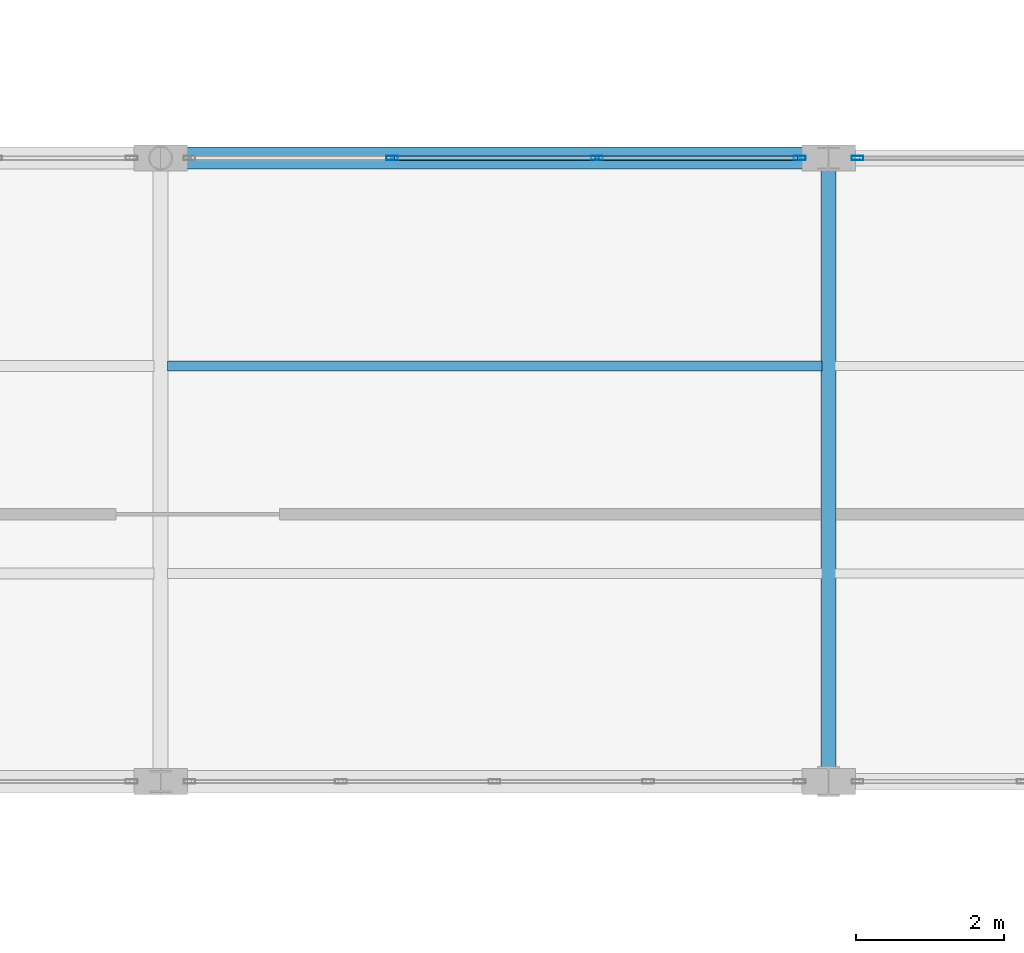
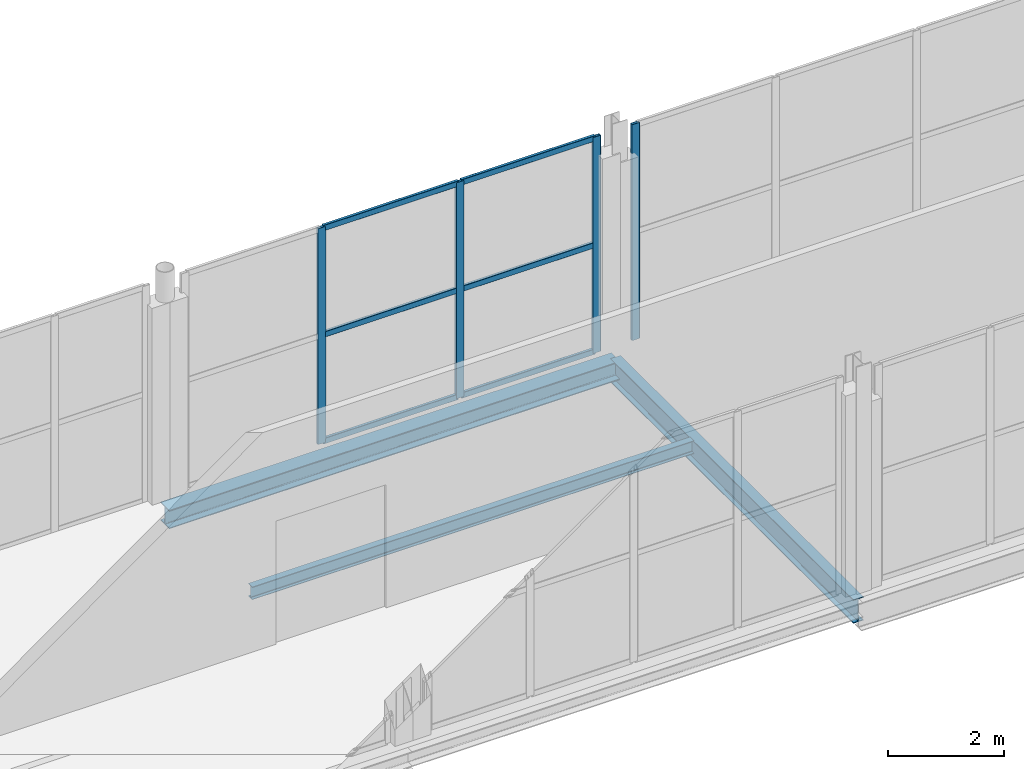
# One storey, part 65 of 120: 10 members, 3 beams, 2 elements without a shape of their own.
"""IFC4 building model written with IfcOpenShell, lengths in metres."""

from ifc_helpers import new_model, si_unit, direction, frame, origin, origin_2d, place, context, subcontext, project, spatial, hollow_rectangle, i_section, extrude, material, layer, layer_set, material_profile, profile_set, type_object, element, aggregate, save


model = new_model("IFC4")

# Units and contexts
model_context = context("Model", 3, precision=1e-05, world=origin(), true_north=direction((0.0, 1.0)))
body_context = subcontext(model_context, "Body", "Model", "MODEL_VIEW")
ifc_project = project(units=[si_unit("LENGTHUNIT", "METRE"), si_unit("AREAUNIT", "SQUARE_METRE"), si_unit("VOLUMEUNIT", "CUBIC_METRE"), si_unit("PLANEANGLEUNIT", "RADIAN"), si_unit("MASSUNIT", "GRAM", prefix="KILO")], contexts=[model_context])

# Site, building, storey
site_placement = place(None, origin())
site = spatial("IfcSite", under=ifc_project, at=site_placement, CompositionType="ELEMENT")
building_placement = place(site_placement, origin())
building = spatial("IfcBuilding", under=site, at=building_placement, Name="Vekula Escarpment Museum", CompositionType="ELEMENT")
storey_placement = place(building_placement, frame((0.0, 0.0, 13.199951171875)))
storey = spatial("IfcBuildingStorey", under=building, at=storey_placement, Name="L03", CompositionType="ELEMENT", Elevation=13.199951171875)

# Beams
ifc_material_1 = material(Name="Steel S355", Category="steel")
ifc_material_profile_1 = material_profile(ifc_material_1, i_section(OverallWidth=0.199951171875, OverallDepth=0.5, WebThickness=0.01025390625, FlangeThickness=0.01611328125, FilletRadius=0.02099609375, at=origin_2d()), Name="IPE 500")
ifc_profile_set_1 = profile_set([ifc_material_profile_1], Name="Steel S355")
beam_type_1 = type_object("IfcBeamType", Name="BM-GIRD-IPE500", PredefinedType="BEAM", material=ifc_profile_set_1)
beam_1_placement = place(storey_placement, frame((155.0, 68.0, -0.5), z_axis=(0.0, 1.0, 0.0), x_axis=(-1.0, 0.0, 0.0)))
element("IfcBeam", 1, at=beam_1_placement, inside=storey, type_object=beam_type_1, Name="Beam Y L03 1639", PredefinedType="BEAM", context=body_context, shape_type="SweptSolid", body=[
    extrude(i_section(OverallWidth=0.199951171875, OverallDepth=0.5, WebThickness=0.01025390625, FlangeThickness=0.01611328125, FilletRadius=0.02099609375, at=origin_2d()), origin(), (0.0, 0.0, 1.0), 8.39990234375),
])
ifc_material_2 = material(Name="Steel S355", Category="steel")
ifc_material_profile_2 = material_profile(ifc_material_2, i_section(OverallWidth=0.135009765625, OverallDepth=0.27001953125, WebThickness=0.006591796875, FlangeThickness=0.01025390625, FilletRadius=0.014892578125, at=origin_2d()), Name="IPE 270")
ifc_profile_set_2 = profile_set([ifc_material_profile_2], Name="Steel S355")
beam_type_2 = type_object("IfcBeamType", Name="BM-JST-IPE270", PredefinedType="JOIST", material=ifc_profile_set_2)
beam_2_placement = place(storey_placement, frame((146.090087890625, 73.60009765625, -0.385009765625), z_axis=(1.0, 0.0, 0.0), x_axis=(0.0, 1.0, 0.0)))
element("IfcBeam", 2, at=beam_2_placement, inside=storey, type_object=beam_type_2, Name="Secondary Joist L03 1085", PredefinedType="JOIST", context=body_context, shape_type="SweptSolid", body=[
    extrude(i_section(OverallWidth=0.135009765625, OverallDepth=0.27001953125, WebThickness=0.006591796875, FlangeThickness=0.01025390625, FilletRadius=0.014892578125, at=origin_2d()), origin(), (0.0, 0.0, 1.0), 8.81982421875),
])
ifc_material_3 = material(Name="Steel S355", Category="steel")
ifc_material_profile_3 = material_profile(ifc_material_3, i_section(OverallWidth=0.300048828125, OverallDepth=0.389892578125, WebThickness=0.010986328125, FlangeThickness=0.01904296875, FilletRadius=0.027099609375, at=origin_2d()), Name="HEA 400")
ifc_profile_set_3 = profile_set([ifc_material_profile_3], Name="Steel S355")
beam_type_3 = type_object("IfcBeamType", Name="BM-SPAN-HEA400", PredefinedType="SPANDREL", material=ifc_profile_set_3)
beam_3_placement = place(storey_placement, frame((146.0, 76.39990234375, -0.445068359375), z_axis=(1.0, 0.0, 0.0), x_axis=(0.0, 1.0, 0.0)))
element("IfcBeam", 3, at=beam_3_placement, inside=storey, type_object=beam_type_3, Name="Beam X L03 1393", PredefinedType="SPANDREL", context=body_context, shape_type="SweptSolid", body=[
    extrude(i_section(OverallWidth=0.300048828125, OverallDepth=0.389892578125, WebThickness=0.010986328125, FlangeThickness=0.01904296875, FilletRadius=0.027099609375, at=origin_2d()), origin(), (0.0, 0.0, 1.0), 9.0),
])

# Curtain wall, member
ifc_material_4 = material(Name="Aluminium thermally broken framing", Category="aluminium")
ifc_layer_1 = layer(ifc_material_4, 0.179931640625)
ifc_layer_set_1 = layer_set([ifc_layer_1], Name="Aluminium thermally broken framing")
curtain_wall_type_1 = type_object("IfcCurtainWallType", Name="CW-SYS-07", PredefinedType="NOTDEFINED", material=ifc_layer_set_1)
curtain_wall_1_placement = place(storey_placement, origin())
curtain_wall_1 = element("IfcCurtainWall", 4, at=curtain_wall_1_placement, inside=storey, type_object=curtain_wall_type_1, Name="Curtain Wall CW-L03-117", PredefinedType="NOTDEFINED")
ifc_material_5 = material(Name="Aluminium anodized mullion", Category="aluminium")
ifc_material_profile_4 = material_profile(ifc_material_5, hollow_rectangle(XDim=0.06005859375, YDim=0.159912109375, WallThickness=0.00390625, InnerFilletRadius=0.00390625, OuterFilletRadius=0.008056640625, at=origin_2d()), Name="ALU 160x60x4")
ifc_profile_set_4 = profile_set([ifc_material_profile_4], Name="Aluminium anodized mullion")
member_type_1 = type_object("IfcMemberType", Name="CW-MUL-160", PredefinedType="MULLION", material=ifc_profile_set_4)
member_1_placement = place(storey_placement, frame((155.389892578125, 76.39990234375, 0.0), z_axis=(0.0, 0.0, 1.0), x_axis=(0.0, -1.0, 0.0)))
member_1 = element("IfcMember", 5, at=member_1_placement, type_object=member_type_1, Name="CW-07 mullion 5", PredefinedType="MULLION", context=body_context, shape_type="SweptSolid", body=[
    extrude(hollow_rectangle(XDim=0.06005859375, YDim=0.159912109375, WallThickness=0.00390625, InnerFilletRadius=0.00390625, OuterFilletRadius=0.008056640625, at=origin_2d()), origin(), (0.0, 0.0, 1.0), 4.56005859375),
])
aggregate(curtain_wall_1, [member_1])

# Curtain wall, members
ifc_material_6 = material(Name="Aluminium thermally broken framing", Category="aluminium")
ifc_layer_2 = layer(ifc_material_6, 0.179931640625)
ifc_layer_set_2 = layer_set([ifc_layer_2], Name="Aluminium thermally broken framing")
curtain_wall_type_2 = type_object("IfcCurtainWallType", Name="CW-SYS-08", PredefinedType="NOTDEFINED", material=ifc_layer_set_2)
curtain_wall_2_placement = place(storey_placement, origin())
curtain_wall_2 = element("IfcCurtainWall", 6, at=curtain_wall_2_placement, inside=storey, type_object=curtain_wall_type_2, Name="Curtain Wall CW-L03-118", PredefinedType="NOTDEFINED")
member_2_placement = place(storey_placement, frame((154.610107421875, 76.39990234375, 0.0), z_axis=(0.0, 0.0, 1.0), x_axis=(0.0, -1.0, 0.0)))
member_2 = element("IfcMember", 7, at=member_2_placement, type_object=member_type_1, Name="CW-08 mullion 1", PredefinedType="MULLION", context=body_context, shape_type="SweptSolid", body=[
    extrude(hollow_rectangle(XDim=0.06005859375, YDim=0.159912109375, WallThickness=0.00390625, InnerFilletRadius=0.00390625, OuterFilletRadius=0.008056640625, at=origin_2d()), origin(), (0.0, 0.0, 1.0), 4.56005859375),
])
member_3_placement = place(storey_placement, frame((151.8798828125, 76.39990234375, 0.0), z_axis=(0.0, 0.0, 1.0), x_axis=(0.0, -1.0, 0.0)))
member_3 = element("IfcMember", 8, at=member_3_placement, type_object=member_type_1, Name="CW-08 mullion 2", PredefinedType="MULLION", context=body_context, shape_type="SweptSolid", body=[
    extrude(hollow_rectangle(XDim=0.06005859375, YDim=0.159912109375, WallThickness=0.00390625, InnerFilletRadius=0.00390625, OuterFilletRadius=0.008056640625, at=origin_2d()), origin(), (0.0, 0.0, 1.0), 4.56005859375),
])
member_4_placement = place(storey_placement, frame((149.1201171875, 76.39990234375, 0.0), z_axis=(0.0, 0.0, 1.0), x_axis=(0.0, -1.0, 0.0)))
member_4 = element("IfcMember", 9, at=member_4_placement, type_object=member_type_1, Name="CW-08 mullion 3", PredefinedType="MULLION", context=body_context, shape_type="SweptSolid", body=[
    extrude(hollow_rectangle(XDim=0.06005859375, YDim=0.159912109375, WallThickness=0.00390625, InnerFilletRadius=0.00390625, OuterFilletRadius=0.008056640625, at=origin_2d()), origin(), (0.0, 0.0, 1.0), 4.56005859375),
])
ifc_material_7 = material(Name="Aluminium anodized transom", Category="aluminium")
ifc_material_profile_5 = material_profile(ifc_material_7, hollow_rectangle(XDim=0.06005859375, YDim=0.1201171875, WallThickness=0.00390625, InnerFilletRadius=0.00390625, OuterFilletRadius=0.008056640625, at=origin_2d()), Name="ALU 120x60x4")
ifc_profile_set_5 = profile_set([ifc_material_profile_5], Name="Aluminium anodized transom")
member_type_2 = type_object("IfcMemberType", Name="CW-TRN-120", PredefinedType="USERDEFINED", material=ifc_profile_set_5)
member_5_placement = place(storey_placement, frame((154.580078125, 76.39990234375, 0.030029296875), z_axis=(-1.0, 0.0, 0.0), x_axis=(0.0, -1.0, 0.0)))
member_5 = element("IfcMember", 10, at=member_5_placement, type_object=member_type_2, Name="CW-08 transom 1.1", ObjectType="TRANSOM", PredefinedType="USERDEFINED", context=body_context, shape_type="SweptSolid", body=[
    extrude(hollow_rectangle(XDim=0.06005859375, YDim=0.1201171875, WallThickness=0.00390625, InnerFilletRadius=0.00390625, OuterFilletRadius=0.008056640625, at=origin_2d()), origin(), (0.0, 0.0, 1.0), 2.670166015625),
])
member_6_placement = place(storey_placement, frame((154.580078125, 76.39990234375, 2.280029296875), z_axis=(-1.0, 0.0, 0.0), x_axis=(0.0, -1.0, 0.0)))
member_6 = element("IfcMember", 11, at=member_6_placement, type_object=member_type_2, Name="CW-08 transom 1.2", ObjectType="TRANSOM", PredefinedType="USERDEFINED", context=body_context, shape_type="SweptSolid", body=[
    extrude(hollow_rectangle(XDim=0.06005859375, YDim=0.1201171875, WallThickness=0.00390625, InnerFilletRadius=0.00390625, OuterFilletRadius=0.008056640625, at=origin_2d()), origin(), (0.0, 0.0, 1.0), 2.670166015625),
])
member_7_placement = place(storey_placement, frame((154.580078125, 76.39990234375, 4.530029296875), z_axis=(-1.0, 0.0, 0.0), x_axis=(0.0, -1.0, 0.0)))
member_7 = element("IfcMember", 12, at=member_7_placement, type_object=member_type_2, Name="CW-08 transom 1.3", ObjectType="TRANSOM", PredefinedType="USERDEFINED", context=body_context, shape_type="SweptSolid", body=[
    extrude(hollow_rectangle(XDim=0.06005859375, YDim=0.1201171875, WallThickness=0.00390625, InnerFilletRadius=0.00390625, OuterFilletRadius=0.008056640625, at=origin_2d()), origin(), (0.0, 0.0, 1.0), 2.670166015625),
])
member_8_placement = place(storey_placement, frame((151.85009765625, 76.39990234375, 0.030029296875), z_axis=(-1.0, 0.0, 0.0), x_axis=(0.0, -1.0, 0.0)))
member_8 = element("IfcMember", 13, at=member_8_placement, type_object=member_type_2, Name="CW-08 transom 2.1", ObjectType="TRANSOM", PredefinedType="USERDEFINED", context=body_context, shape_type="SweptSolid", body=[
    extrude(hollow_rectangle(XDim=0.06005859375, YDim=0.1201171875, WallThickness=0.00390625, InnerFilletRadius=0.00390625, OuterFilletRadius=0.008056640625, at=origin_2d()), origin(), (0.0, 0.0, 1.0), 2.7001953125),
])
member_9_placement = place(storey_placement, frame((151.85009765625, 76.39990234375, 2.280029296875), z_axis=(-1.0, 0.0, 0.0), x_axis=(0.0, -1.0, 0.0)))
member_9 = element("IfcMember", 14, at=member_9_placement, type_object=member_type_2, Name="CW-08 transom 2.2", ObjectType="TRANSOM", PredefinedType="USERDEFINED", context=body_context, shape_type="SweptSolid", body=[
    extrude(hollow_rectangle(XDim=0.06005859375, YDim=0.1201171875, WallThickness=0.00390625, InnerFilletRadius=0.00390625, OuterFilletRadius=0.008056640625, at=origin_2d()), origin(), (0.0, 0.0, 1.0), 2.7001953125),
])
member_10_placement = place(storey_placement, frame((151.85009765625, 76.39990234375, 4.530029296875), z_axis=(-1.0, 0.0, 0.0), x_axis=(0.0, -1.0, 0.0)))
member_10 = element("IfcMember", 15, at=member_10_placement, type_object=member_type_2, Name="CW-08 transom 2.3", ObjectType="TRANSOM", PredefinedType="USERDEFINED", context=body_context, shape_type="SweptSolid", body=[
    extrude(hollow_rectangle(XDim=0.06005859375, YDim=0.1201171875, WallThickness=0.00390625, InnerFilletRadius=0.00390625, OuterFilletRadius=0.008056640625, at=origin_2d()), origin(), (0.0, 0.0, 1.0), 2.7001953125),
])
aggregate(curtain_wall_2, [member_2, member_3, member_4, member_5, member_6, member_7, member_8, member_9, member_10])

save(model, "model.ifc")
